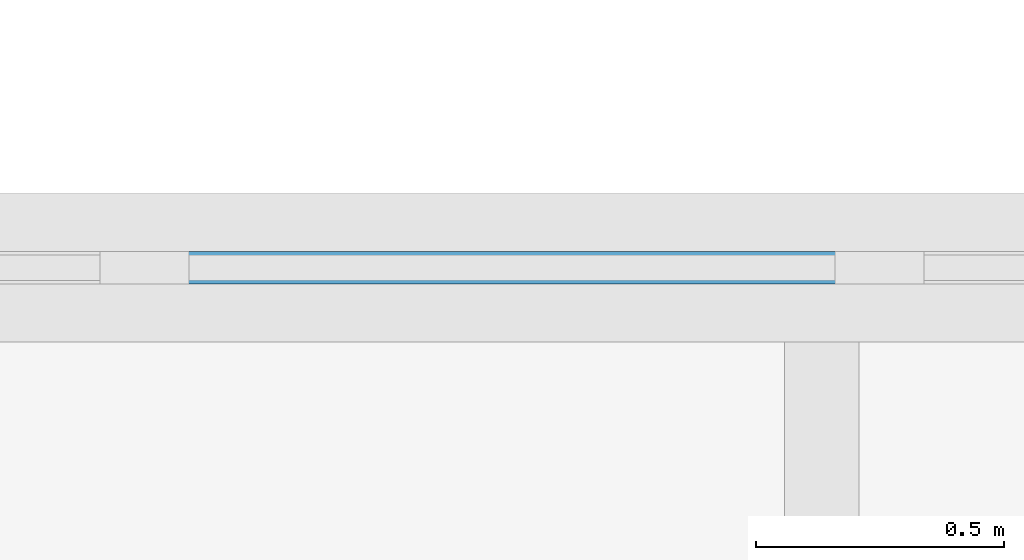
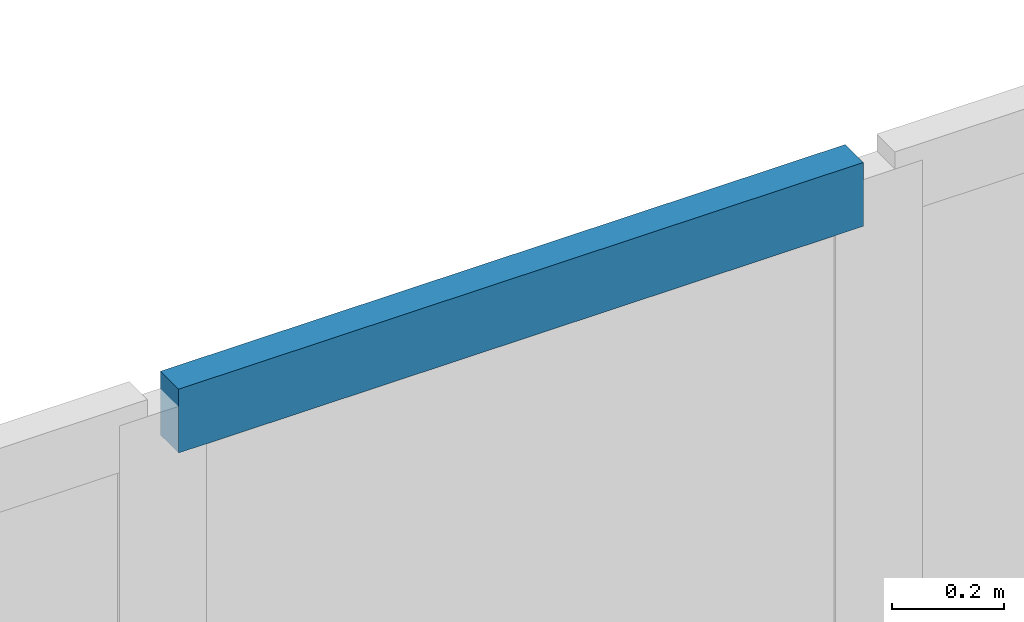
# One storey, part 35 of 78: 1 member, 1 element without a shape of its own.
"""IFC4 building model written with IfcOpenShell, lengths in metres."""

from ifc_helpers import new_model, si_unit, direction, frame, origin, origin_2d, place, context, subcontext, project, spatial, rectangle, extrude, material, layer, layer_set, material_profile, profile_set, type_object, element, aggregate, save


model = new_model("IFC4")

# Units and contexts
model_context = context("Model", 3, precision=1e-05, world=origin(), true_north=direction((0.0, 1.0)))
body_context = subcontext(model_context, "Body", "Model", "MODEL_VIEW")
ifc_project = project(units=[si_unit("LENGTHUNIT", "METRE"), si_unit("AREAUNIT", "SQUARE_METRE"), si_unit("VOLUMEUNIT", "CUBIC_METRE"), si_unit("PLANEANGLEUNIT", "RADIAN"), si_unit("MASSUNIT", "GRAM", prefix="KILO")], contexts=[model_context])

# Site, building, storey
site_placement = place(None, origin())
site = spatial("IfcSite", under=ifc_project, at=site_placement, CompositionType="ELEMENT")
building_placement = place(site_placement, origin())
building = spatial("IfcBuilding", under=site, at=building_placement, Name="Alderhovde Museum", CompositionType="ELEMENT")
storey_placement = place(building_placement, frame((0.0, 0.0, 4.5)))
storey = spatial("IfcBuildingStorey", under=building, at=storey_placement, Name="L01", CompositionType="ELEMENT", Elevation=4.5)

# Curtain wall, member
ifc_material_1 = material(Name="Triple-Glazed Bronze-Anodised Curtain Wall", Category="glass")
ifc_layer = layer(ifc_material_1, 0.179931640625)
ifc_layer_set = layer_set([ifc_layer], Name="Triple-Glazed Bronze-Anodised Curtain Wall")
curtain_wall_type = type_object("IfcCurtainWallType", Name="CW-STIC-890x326", PredefinedType="USERDEFINED", material=ifc_layer_set)
curtain_wall_placement = place(storey_placement, origin())
curtain_wall = element("IfcCurtainWall", 1, at=curtain_wall_placement, inside=storey, type_object=curtain_wall_type, Name="L01 Stick Curtain Wall 151", ObjectType="STICK CURTAIN WALL", PredefinedType="USERDEFINED")
ifc_material_2 = material(Name="Bronze-Anodised Aluminium EN AW-6063-T6", Category="aluminium")
ifc_material_profile = material_profile(ifc_material_2, rectangle(XDim=0.06494140625, YDim=0.139892578125, at=origin_2d()), Name="TRANSOM 65x140")
ifc_profile_set = profile_set([ifc_material_profile], Name="Bronze-Anodised Aluminium EN AW-6063-T6")
member_type = type_object("IfcMemberType", Name="CWT-65x140", PredefinedType="USERDEFINED", material=ifc_profile_set)
member_placement = place(storey_placement, frame((136.265869140625, 48.0, 3.2275390625), z_axis=(1.0, 0.0, 0.0), x_axis=(0.0, 1.0, 0.0)))
member = element("IfcMember", 2, at=member_placement, type_object=member_type, Name="CW35 transom 2.3", ObjectType="TRANSOM", PredefinedType="USERDEFINED", context=body_context, shape_type="SweptSolid", body=[
    extrude(rectangle(XDim=0.06494140625, YDim=0.139892578125, at=origin_2d()), origin(), (0.0, 0.0, 1.0), 1.418212890625),
])
aggregate(curtain_wall, [member])

save(model, "model.ifc")
